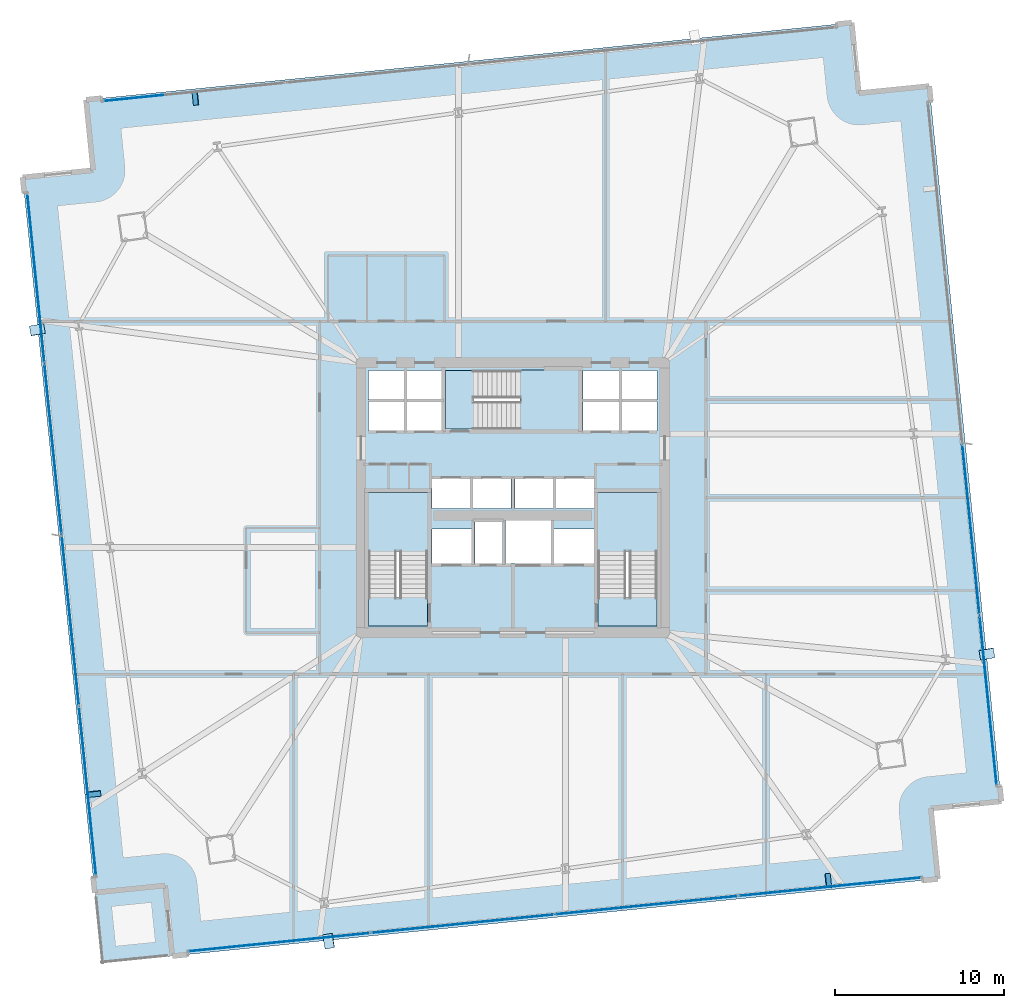
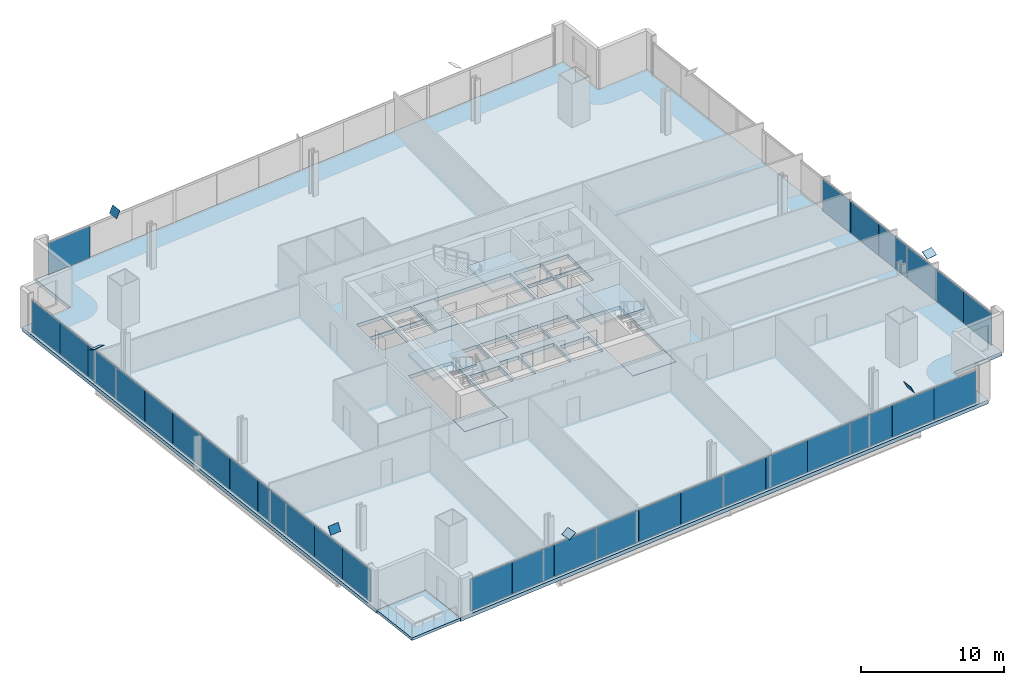
# One storey, part 24 of 33: 37 plates, 8 slabs, 7 elements without a shape of their own.
"""IFC4 building model written with IfcOpenShell, lengths in metres."""

from ifc_helpers import new_model, si_unit, direction, frame, origin, origin_2d, place, context, subcontext, project, spatial, polyline, rectangle, outline, extrude, source, transform, mapped, material, layer, layer_set, type_object, element, aggregate, save


model = new_model("IFC4")

# Units and contexts
model_context = context("Model", 3, precision=1e-05, world=origin(), true_north=direction((0.0, 1.0)))
body_context = subcontext(model_context, "Body", "Model", "MODEL_VIEW")
ifc_project = project(units=[si_unit("LENGTHUNIT", "METRE"), si_unit("AREAUNIT", "SQUARE_METRE"), si_unit("VOLUMEUNIT", "CUBIC_METRE"), si_unit("PLANEANGLEUNIT", "RADIAN"), si_unit("MASSUNIT", "GRAM", prefix="KILO")], contexts=[model_context])

# Site, building, storey
site_placement = place(None, origin())
site = spatial("IfcSite", under=ifc_project, at=site_placement, CompositionType="ELEMENT")
building_placement = place(site_placement, origin())
building = spatial("IfcBuilding", under=site, at=building_placement, Name="Haldenkirk Collegiate Tower", CompositionType="ELEMENT")
storey_placement = place(building_placement, frame((0.0, 0.0, 47.699951171875)))
storey = spatial("IfcBuildingStorey", under=building, at=storey_placement, Name="L10", CompositionType="ELEMENT", Elevation=47.699951171875)

# Slab
ifc_material_1 = material(Name="Concrete f'c 40 MPa", Category="concrete")
ifc_layer_1 = layer(ifc_material_1, 0.31005859375)
ifc_layer_set_1 = layer_set([ifc_layer_1], Name="Concrete f'c 40 MPa")
slab_type_1 = type_object("IfcSlabType", Name="SLB-FLR-310", PredefinedType="FLOOR", material=ifc_layer_set_1)
slab_1_placement = place(storey_placement, frame((0.0, 0.0, -0.31005859375)))
element("IfcSlab", 1, at=slab_1_placement, inside=storey, type_object=slab_type_1, Name="L10 composite structural floor slab", PredefinedType="FLOOR", context=body_context, shape_type="SweptSolid", body=[
    extrude(outline(polyline([(15.8193359375, -1.158447265625), (61.18994140625, 3.41015625), (60.769287109375, 7.5888671875), (64.947998046875, 8.009765625), (60.68017578125, 50.3955078125), (56.501220703125, 49.974609375), (56.080322265625, 54.153564453125), (10.709716796875, 49.5849609375), (11.130615234375, 45.406005859375), (6.951904296875, 44.985107421875), (11.2197265625, 2.599609375), (15.398681640625, 3.0205078125), (15.8193359375, -1.158447265625)]), holes=[polyline([(27.449951171875, 18.39990234375), (30.949951171875, 18.39990234375), (30.949951171875, 26.300048828125), (27.449951171875, 26.300048828125), (27.449951171875, 18.39990234375)]), polyline([(41.050048828125, 18.39990234375), (44.550048828125, 18.39990234375), (44.550048828125, 26.300048828125), (41.050048828125, 26.300048828125), (41.050048828125, 18.39990234375)]), polyline([(32.0, 30.050048828125), (39.89990234375, 30.050048828125), (39.89990234375, 33.550048828125), (32.0, 33.550048828125), (32.0, 30.050048828125)]), polyline([(33.75, 22.10009765625), (35.35009765625, 22.10009765625), (35.35009765625, 24.550048828125), (33.75, 24.550048828125), (33.75, 22.10009765625)]), polyline([(27.449951171875, 29.949951171875), (29.580078125, 29.949951171875), (29.580078125, 31.699951171875), (27.449951171875, 31.699951171875), (27.449951171875, 29.949951171875)]), polyline([(29.679931640625, 29.949951171875), (31.85009765625, 29.949951171875), (31.85009765625, 31.699951171875), (29.679931640625, 31.699951171875), (29.679931640625, 29.949951171875)]), polyline([(27.449951171875, 31.800048828125), (29.580078125, 31.800048828125), (29.580078125, 33.550048828125), (27.449951171875, 33.550048828125), (27.449951171875, 31.800048828125)]), polyline([(29.679931640625, 31.800048828125), (31.85009765625, 31.800048828125), (31.85009765625, 33.550048828125), (29.679931640625, 33.550048828125), (29.679931640625, 31.800048828125)]), polyline([(40.14990234375, 29.949951171875), (42.320068359375, 29.949951171875), (42.320068359375, 31.699951171875), (40.14990234375, 31.699951171875), (40.14990234375, 29.949951171875)]), polyline([(42.419921875, 29.949951171875), (44.550048828125, 29.949951171875), (44.550048828125, 31.699951171875), (42.419921875, 31.699951171875), (42.419921875, 29.949951171875)]), polyline([(40.14990234375, 31.800048828125), (42.320068359375, 31.800048828125), (42.320068359375, 33.550048828125), (40.14990234375, 33.550048828125), (40.14990234375, 31.800048828125)]), polyline([(42.419921875, 31.800048828125), (44.550048828125, 31.800048828125), (44.550048828125, 33.550048828125), (42.419921875, 33.550048828125), (42.419921875, 31.800048828125)]), polyline([(31.199951171875, 25.35009765625), (33.47998046875, 25.35009765625), (33.47998046875, 27.14990234375), (31.199951171875, 27.14990234375), (31.199951171875, 25.35009765625)]), polyline([(33.60009765625, 25.35009765625), (35.8798828125, 25.35009765625), (35.8798828125, 27.14990234375), (33.60009765625, 27.14990234375), (33.60009765625, 25.35009765625)]), polyline([(36.1201171875, 25.35009765625), (38.39990234375, 25.35009765625), (38.39990234375, 27.14990234375), (36.1201171875, 27.14990234375), (36.1201171875, 25.35009765625)]), polyline([(38.52001953125, 25.35009765625), (40.800048828125, 25.35009765625), (40.800048828125, 27.14990234375), (38.52001953125, 27.14990234375), (38.52001953125, 25.35009765625)]), polyline([(31.199951171875, 22.10009765625), (33.550048828125, 22.10009765625), (33.550048828125, 24.14990234375), (31.199951171875, 24.14990234375), (31.199951171875, 22.10009765625)]), polyline([(38.449951171875, 22.10009765625), (40.800048828125, 22.10009765625), (40.800048828125, 24.14990234375), (38.449951171875, 24.14990234375), (38.449951171875, 22.10009765625)]), polyline([(35.550048828125, 22.10009765625), (38.25, 22.10009765625), (38.25, 24.64990234375), (35.550048828125, 24.64990234375), (35.550048828125, 22.10009765625)])]), origin(), (0.0, 0.0, 1.0), 0.31005859375),
])

# Stair, slab
stair_type = type_object("IfcStairType", Name="STR-DOGLEG-1650", PredefinedType="HALF_TURN_STAIR", material=ifc_material_1)
stair_1_placement = place(storey_placement, origin())
stair_1 = element("IfcStair", 2, at=stair_1_placement, inside=storey, type_object=stair_type, Name="L10 Core Exit Stair ST-1", PredefinedType="HALF_TURN_STAIR")
ifc_layer_2 = layer(ifc_material_1, 0.199951171875)
ifc_layer_set_2 = layer_set([ifc_layer_2], Name="Concrete f'c 40 MPa")
slab_type_2 = type_object("IfcSlabType", Name="SLB-LANDING-200", PredefinedType="LANDING", material=ifc_layer_set_2)
slab_2_placement = place(storey_placement, frame((0.0, 0.0, 1.675048828125)))
slab_2 = element("IfcSlab", 3, at=slab_2_placement, type_object=slab_type_2, Name="ST-1 landing 1", PredefinedType="LANDING", context=body_context, shape_type="SweptSolid", body=[
    extrude(outline(polyline([(30.97509765625, 22.824951171875), (27.425048828125, 22.824951171875), (27.425048828125, 26.324951171875), (30.97509765625, 26.324951171875), (30.97509765625, 22.824951171875)])), origin(), (0.0, 0.0, 1.0), 0.199951171875),
])
aggregate(stair_1, [slab_2])

stair_2_placement = place(storey_placement, origin())
stair_2 = element("IfcStair", 4, at=stair_2_placement, inside=storey, type_object=stair_type, Name="L10 Core Exit Stair ST-2", PredefinedType="HALF_TURN_STAIR")
slab_3_placement = place(storey_placement, frame((0.0, 0.0, 1.675048828125)))
slab_3 = element("IfcSlab", 5, at=slab_3_placement, type_object=slab_type_2, Name="ST-2 landing 1", PredefinedType="LANDING", context=body_context, shape_type="SweptSolid", body=[
    extrude(outline(polyline([(44.574951171875, 22.824951171875), (41.02490234375, 22.824951171875), (41.02490234375, 26.324951171875), (44.574951171875, 26.324951171875), (44.574951171875, 22.824951171875)])), origin(), (0.0, 0.0, 1.0), 0.199951171875),
])
aggregate(stair_2, [slab_3])

stair_3_placement = place(storey_placement, origin())
stair_3 = element("IfcStair", 6, at=stair_3_placement, inside=storey, type_object=stair_type, Name="L10 Core Exit Stair ST-3", PredefinedType="HALF_TURN_STAIR")
slab_4_placement = place(storey_placement, frame((0.0, 0.0, 1.675048828125)))
slab_4 = element("IfcSlab", 7, at=slab_4_placement, type_object=slab_type_2, Name="ST-3 landing 1", PredefinedType="LANDING", context=body_context, shape_type="SweptSolid", body=[
    extrude(outline(polyline([(36.425048828125, 30.02490234375), (36.425048828125, 33.574951171875), (39.925048828125, 33.574951171875), (39.925048828125, 30.02490234375), (36.425048828125, 30.02490234375)])), origin(), (0.0, 0.0, 1.0), 0.199951171875),
])
aggregate(stair_3, [slab_4])

# Slabs
ifc_layer_3 = layer(ifc_material_1, 0.25)
ifc_layer_set_3 = layer_set([ifc_layer_3], Name="Concrete f'c 40 MPa")
slab_type_3 = type_object("IfcSlabType", Name="SLB-STAIRLAND-250", PredefinedType="LANDING", material=ifc_layer_set_3)
slab_5_placement = place(storey_placement, frame((0.0, 0.0, -0.25)))
element("IfcSlab", 8, at=slab_5_placement, inside=storey, type_object=slab_type_3, Name="L10 stair ST1 structural floor landing slab", PredefinedType="LANDING", context=body_context, shape_type="SweptSolid", body=[
    extrude(outline(polyline([(27.4599609375, 18.409912109375), (30.93994140625, 18.409912109375), (30.93994140625, 20.080078125), (27.4599609375, 20.080078125), (27.4599609375, 18.409912109375)])), origin(), (0.0, 0.0, 1.0), 0.25),
])
slab_6_placement = place(storey_placement, frame((0.0, 0.0, -0.25)))
element("IfcSlab", 9, at=slab_6_placement, inside=storey, type_object=slab_type_3, Name="L10 stair ST2 structural floor landing slab", PredefinedType="LANDING", context=body_context, shape_type="SweptSolid", body=[
    extrude(outline(polyline([(41.06005859375, 18.409912109375), (44.5400390625, 18.409912109375), (44.5400390625, 20.080078125), (41.06005859375, 20.080078125), (41.06005859375, 18.409912109375)])), origin(), (0.0, 0.0, 1.0), 0.25),
])
slab_7_placement = place(storey_placement, frame((0.0, 0.0, -0.25)))
element("IfcSlab", 10, at=slab_7_placement, inside=storey, type_object=slab_type_3, Name="L10 stair ST3 structural floor landing slab", PredefinedType="LANDING", context=body_context, shape_type="SweptSolid", body=[
    extrude(outline(polyline([(32.010009765625, 30.06005859375), (33.679931640625, 30.06005859375), (33.679931640625, 33.5400390625), (32.010009765625, 33.5400390625), (32.010009765625, 30.06005859375)])), origin(), (0.0, 0.0, 1.0), 0.25),
])
ifc_layer_4 = layer(ifc_material_1, 0.22998046875)
ifc_layer_set_4 = layer_set([ifc_layer_4], Name="Concrete f'c 40 MPa")
slab_type_4 = type_object("IfcSlabType", Name="SLB-TERR-SPIRAL-230", PredefinedType="FLOOR", material=ifc_layer_set_4)
slab_8_placement = place(storey_placement, frame((0.0, 0.0, -0.22998046875)))
element("IfcSlab", 11, at=slab_8_placement, inside=storey, type_object=slab_type_4, Name="L10 spiralling corner terrace slab", PredefinedType="FLOOR", context=body_context, shape_type="SweptSolid", body=[
    extrude(outline(polyline([(11.640625, -1.579345703125), (15.8193359375, -1.158447265625), (15.398681640625, 3.0205078125), (11.2197265625, 2.599609375), (11.640625, -1.579345703125)])), origin(), (0.0, 0.0, 1.0), 0.22998046875),
])

# Plates
ifc_material_2 = material(Name="Steel ASTM A572 Grade 50", Category="steel")
ifc_layer_5 = layer(ifc_material_2, 0.034912109375)
ifc_layer_set_5 = layer_set([ifc_layer_5], Name="Steel ASTM A572 Grade 50")
plate_type_1 = type_object("IfcPlateType", Name="PLT-CAP-EXT-760X600", PredefinedType="USERDEFINED", material=ifc_layer_set_5)
shared_shape_1 = source(origin(), body_context, "Body", "SweptSolid", [
    extrude(rectangle(XDim=0.860107421875, YDim=0.659912109375, at=origin_2d()), origin(), (0.0, 0.0, 1.0), 0.034912109375),
])
for number, where, z_axis, x_axis, name in (
    (12, (25.091552734375, -0.28076171875, 3.427490234375), (-0.513402195176, -0.091507034787, 0.853255324374), (0.175470985651, -0.984484602823, -9.0917e-08), "Perimeter Mega Brace Z1 L08-L10 SL end cap plate 2"),
    (13, (54.678955078125, 3.299560546875, 3.428955078125), (0.893068337149, 0.092916035077, 0.440222166192), (-0.103482824773, 0.9946312407, 9.7662e-08), "Perimeter Mega Brace Z1 L08-L10 SR end cap plate 2"),
    (14, (64.094970703125, 16.7470703125, 3.427490234375), (0.084062990598, -0.484508945809, 0.870737902611), (0.985280199567, 0.170947150723, -2.02548e-07), "Perimeter Mega Brace Z1 L08-L10 EL end cap plate 2"),
    (15, (17.199951171875, 49.693115234375, 3.428955078125), (-0.893069592494, -0.092990957568, 0.440203799136), (0.103565140047, -0.994622673061, -8.489e-08), "Perimeter Mega Brace Z1 L08-L10 NR end cap plate 2"),
    (16, (7.820556640625, 35.948974609375, 3.427490234375), (-0.087235966661, 0.481021816167, 0.872357666609), (-0.983950034598, -0.178444191315, -3.24894e-07), "Perimeter Mega Brace Z1 L08-L10 WL end cap plate 2"),
    (17, (11.147705078125, 8.454345703125, 3.4287109375), (0.09107804169, -0.880523403054, 0.465170212929), (0.994693002653, 0.102887465088, 2.7974e-07), "Perimeter Mega Brace Z1 L08-L10 WR end cap plate 2"),
):
    element("IfcPlate", number, at=place(storey_placement, frame(where, z_axis=z_axis, x_axis=x_axis)), inside=storey, type_object=plate_type_1, Name=name, ObjectType="END CAP PLATE", PredefinedType="USERDEFINED", context=body_context, shape_type="MappedRepresentation", body=[
        mapped(shared_shape_1, transform((0.0, 0.0, 0.0), x_axis=(1.0, 0.0, 0.0), y_axis=(0.0, 1.0, 0.0), z_axis=(0.0, 0.0, 1.0), scale=1.0)),
    ])

# Curtain wall, plates
ifc_material_3 = material(Name="Anodised architectural bronze aluminium", Category="aluminium")
curtain_wall_type_1 = type_object("IfcCurtainWallType", Name="CW-SYS2-CONCAVE", PredefinedType="USERDEFINED", material=ifc_material_3)
curtain_wall_1_placement = place(storey_placement, origin())
curtain_wall_1 = element("IfcCurtainWall", 18, at=curtain_wall_1_placement, inside=storey, type_object=curtain_wall_type_1, Name="L10 South concave recessed bronze-anodised curtain wall", ObjectType="UNITISED CURTAIN WALL", PredefinedType="USERDEFINED")
ifc_material_4 = material(Name="Bronze-anodised insulated aluminium spandrel panel", Category="aluminium")
ifc_layer_6 = layer(ifc_material_4, 0.0419921875)
ifc_layer_set_6 = layer_set([ifc_layer_6], Name="Bronze-anodised insulated aluminium spandrel panel")
plate_type_2 = type_object("IfcPlateType", Name="CW-SPD-02", PredefinedType="CURTAIN_PANEL", material=ifc_layer_set_6)
shared_shape_2 = source(origin(), body_context, "Body", "SweptSolid", [
    extrude(rectangle(XDim=3.612548828125, YDim=0.0419921875, at=origin_2d()), origin(), (0.0, 0.0, 1.0), 2.740966796875),
])
plate_1_placement = place(storey_placement, frame((47.547119140625, 2.21728515625, 0.0751953125), z_axis=(0.0, 0.0, 1.0), x_axis=(-0.994968597847, -0.100187271136, 0.0)))
plate_1 = element("IfcPlate", 19, at=plate_1_placement, type_object=plate_type_2, Name="CW-02 spandrel panel 2.1a", PredefinedType="CURTAIN_PANEL", context=body_context, shape_type="MappedRepresentation", body=[
    mapped(shared_shape_2, transform((0.0, 0.0, 0.0), x_axis=(1.0, 0.0, 0.0), y_axis=(0.0, 1.0, 0.0), z_axis=(0.0, 0.0, 1.0), scale=1.0)),
])
ifc_material_5 = material(Name="Low-E argon triple insulating glass", Category="glass")
ifc_layer_7 = layer(ifc_material_5, 0.0419921875)
ifc_layer_set_7 = layer_set([ifc_layer_7], Name="Low-E argon triple insulating glass")
plate_type_3 = type_object("IfcPlateType", Name="CW-PNL-02", PredefinedType="CURTAIN_PANEL", material=ifc_layer_set_7)
plate_2_placement = place(storey_placement, frame((40.3212890625, 1.489501953125, 0.0751953125), z_axis=(0.0, 0.0, 1.0), x_axis=(-0.994968597847, -0.100187271136, 0.0)))
plate_2 = element("IfcPlate", 20, at=plate_2_placement, type_object=plate_type_3, Name="CW-02 panel 2.1c", PredefinedType="CURTAIN_PANEL", context=body_context, shape_type="MappedRepresentation", body=[
    mapped(shared_shape_2, transform((0.0, 0.0, 0.0), x_axis=(1.0, 0.0, 0.0), y_axis=(0.0, 1.0, 0.0), z_axis=(0.0, 0.0, 1.0), scale=1.0)),
])
plate_3_placement = place(storey_placement, frame((36.652099609375, 1.1201171875, 0.0751953125), z_axis=(0.0, 0.0, 1.0), x_axis=(-0.994968597847, -0.100187271136, 0.0)))
plate_3 = element("IfcPlate", 21, at=plate_3_placement, type_object=plate_type_3, Name="CW-02 panel 3.1a", PredefinedType="CURTAIN_PANEL", context=body_context, shape_type="MappedRepresentation", body=[
    mapped(shared_shape_2, transform((0.0, 0.0, 0.0), x_axis=(1.0, 0.0, 0.0), y_axis=(0.0, 1.0, 0.0), z_axis=(0.0, 0.0, 1.0), scale=1.0)),
])
plate_4_placement = place(storey_placement, frame((29.42626953125, 0.392578125, 0.0751953125), z_axis=(0.0, 0.0, 1.0), x_axis=(-0.994968597847, -0.100187271136, 0.0)))
plate_4 = element("IfcPlate", 22, at=plate_4_placement, type_object=plate_type_2, Name="CW-02 spandrel panel 3.1c", PredefinedType="CURTAIN_PANEL", context=body_context, shape_type="MappedRepresentation", body=[
    mapped(shared_shape_2, transform((0.0, 0.0, 0.0), x_axis=(1.0, 0.0, 0.0), y_axis=(0.0, 1.0, 0.0), z_axis=(0.0, 0.0, 1.0), scale=1.0)),
])
shared_shape_3 = source(origin(), body_context, "Body", "SweptSolid", [
    extrude(rectangle(XDim=3.60009765625, YDim=0.0419921875, at=origin_2d()), origin(), (0.0, 0.0, 1.0), 2.740966796875),
])
plate_5_placement = place(storey_placement, frame((58.410888671875, 3.31103515625, 0.0751953125), z_axis=(0.0, 0.0, 1.0), x_axis=(-0.994968597847, -0.100187271136, 0.0)))
plate_5 = element("IfcPlate", 23, at=plate_5_placement, type_object=plate_type_3, Name="CW-02 panel 1.1a", PredefinedType="CURTAIN_PANEL", context=body_context, shape_type="MappedRepresentation", body=[
    mapped(shared_shape_3, transform((0.0, 0.0, 0.0), x_axis=(1.0, 0.0, 0.0), y_axis=(0.0, 1.0, 0.0), z_axis=(0.0, 0.0, 1.0), scale=1.0)),
])
plate_6_placement = place(storey_placement, frame((51.2099609375, 2.5859375, 0.0751953125), z_axis=(0.0, 0.0, 1.0), x_axis=(-0.994968597847, -0.100187271136, 0.0)))
plate_6 = element("IfcPlate", 24, at=plate_6_placement, type_object=plate_type_2, Name="CW-02 spandrel panel 1.1c", PredefinedType="CURTAIN_PANEL", context=body_context, shape_type="MappedRepresentation", body=[
    mapped(shared_shape_3, transform((0.0, 0.0, 0.0), x_axis=(1.0, 0.0, 0.0), y_axis=(0.0, 1.0, 0.0), z_axis=(0.0, 0.0, 1.0), scale=1.0)),
])
plate_7_placement = place(storey_placement, frame((43.93408203125, 1.853515625, 0.0751953125), z_axis=(0.0, 0.0, 1.0), x_axis=(-0.994968597847, -0.100187271136, 0.0)))
plate_7 = element("IfcPlate", 25, at=plate_7_placement, type_object=plate_type_3, Name="CW-02 panel 2.1b", PredefinedType="CURTAIN_PANEL", context=body_context, shape_type="MappedRepresentation", body=[
    mapped(shared_shape_3, transform((0.0, 0.0, 0.0), x_axis=(1.0, 0.0, 0.0), y_axis=(0.0, 1.0, 0.0), z_axis=(0.0, 0.0, 1.0), scale=1.0)),
])
plate_8_placement = place(storey_placement, frame((33.039306640625, 0.75634765625, 0.0751953125), z_axis=(0.0, 0.0, 1.0), x_axis=(-0.994968597847, -0.100187271136, 0.0)))
plate_8 = element("IfcPlate", 26, at=plate_8_placement, type_object=plate_type_3, Name="CW-02 panel 3.1b", PredefinedType="CURTAIN_PANEL", context=body_context, shape_type="MappedRepresentation", body=[
    mapped(shared_shape_3, transform((0.0, 0.0, 0.0), x_axis=(1.0, 0.0, 0.0), y_axis=(0.0, 1.0, 0.0), z_axis=(0.0, 0.0, 1.0), scale=1.0)),
])
plate_9_placement = place(storey_placement, frame((25.763427734375, 0.023681640625, 0.0751953125), z_axis=(0.0, 0.0, 1.0), x_axis=(-0.994968597847, -0.100187271136, 0.0)))
plate_9 = element("IfcPlate", 27, at=plate_9_placement, type_object=plate_type_2, Name="CW-02 spandrel panel 4.1a", PredefinedType="CURTAIN_PANEL", context=body_context, shape_type="MappedRepresentation", body=[
    mapped(shared_shape_3, transform((0.0, 0.0, 0.0), x_axis=(1.0, 0.0, 0.0), y_axis=(0.0, 1.0, 0.0), z_axis=(0.0, 0.0, 1.0), scale=1.0)),
])
plate_10_placement = place(storey_placement, frame((18.5625, -0.701416015625, 0.0751953125), z_axis=(0.0, 0.0, 1.0), x_axis=(-0.994968597847, -0.100187271136, 0.0)))
plate_10 = element("IfcPlate", 28, at=plate_10_placement, type_object=plate_type_3, Name="CW-02 panel 4.1c", PredefinedType="CURTAIN_PANEL", context=body_context, shape_type="MappedRepresentation", body=[
    mapped(shared_shape_3, transform((0.0, 0.0, 0.0), x_axis=(1.0, 0.0, 0.0), y_axis=(0.0, 1.0, 0.0), z_axis=(0.0, 0.0, 1.0), scale=1.0)),
])

curtain_wall_type_2 = type_object("IfcCurtainWallType", Name="CW-SYS1-CONVEX-LOW", PredefinedType="USERDEFINED", material=ifc_material_3)
curtain_wall_2_placement = place(storey_placement, origin())
curtain_wall_2 = element("IfcCurtainWall", 29, at=curtain_wall_2_placement, inside=storey, type_object=curtain_wall_type_2, Name="L10 Lower tower convex bronze-framed unitised curtain wall", ObjectType="UNITISED CURTAIN WALL", PredefinedType="USERDEFINED")
ifc_layer_8 = layer(ifc_material_5, 0.0439453125)
ifc_layer_set_8 = layer_set([ifc_layer_8], Name="Low-E argon triple insulating glass")
plate_type_4 = type_object("IfcPlateType", Name="CW-PNL-1A", PredefinedType="CURTAIN_PANEL", material=ifc_layer_set_8)
shared_shape_4 = source(origin(), body_context, "Body", "SweptSolid", [
    extrude(rectangle(XDim=3.36083984375, YDim=0.0439453125, at=origin_2d()), origin(), (0.0, 0.0, 1.0), 2.73095703125),
])
plate_11_placement = place(storey_placement, frame((62.807373046875, 27.472900390625, 0.080078125), z_axis=(0.0, 0.0, 1.0), x_axis=(0.10018633043, -0.99496869257, 0.0)))
plate_11 = element("IfcPlate", 30, at=plate_11_placement, type_object=plate_type_4, Name="CW-1A panel 3.1a", PredefinedType="CURTAIN_PANEL", context=body_context, shape_type="MappedRepresentation", body=[
    mapped(shared_shape_4, transform((0.0, 0.0, 0.0), x_axis=(1.0, 0.0, 0.0), y_axis=(0.0, 1.0, 0.0), z_axis=(0.0, 0.0, 1.0), scale=1.0)),
])
ifc_layer_9 = layer(ifc_material_4, 0.0439453125)
ifc_layer_set_9 = layer_set([ifc_layer_9], Name="Bronze-anodised insulated aluminium spandrel panel")
plate_type_5 = type_object("IfcPlateType", Name="CW-SPD-1A", PredefinedType="CURTAIN_PANEL", material=ifc_layer_set_9)
plate_12_placement = place(storey_placement, frame((63.484619140625, 20.74755859375, 0.080078125), z_axis=(0.0, 0.0, 1.0), x_axis=(0.10018633043, -0.99496869257, 0.0)))
plate_12 = element("IfcPlate", 31, at=plate_12_placement, type_object=plate_type_5, Name="CW-1A spandrel panel 3.1c", PredefinedType="CURTAIN_PANEL", context=body_context, shape_type="MappedRepresentation", body=[
    mapped(shared_shape_4, transform((0.0, 0.0, 0.0), x_axis=(1.0, 0.0, 0.0), y_axis=(0.0, 1.0, 0.0), z_axis=(0.0, 0.0, 1.0), scale=1.0)),
])

curtain_wall_3_placement = place(storey_placement, origin())
curtain_wall_3 = element("IfcCurtainWall", 32, at=curtain_wall_3_placement, inside=storey, type_object=curtain_wall_type_2, Name="L10 Lower tower convex bronze-framed unitised curtain wall", ObjectType="UNITISED CURTAIN WALL", PredefinedType="USERDEFINED")
plate_13_placement = place(storey_placement, frame((10.114501953125, 15.37353515625, 0.080078125), z_axis=(0.0, 0.0, 1.0), x_axis=(-0.100186574745, 0.994968667969, 0.0)))
plate_13 = element("IfcPlate", 33, at=plate_13_placement, type_object=plate_type_5, Name="CW-1A spandrel panel 2.1a", PredefinedType="CURTAIN_PANEL", context=body_context, shape_type="MappedRepresentation", body=[
    mapped(shared_shape_4, transform((0.0, 0.0, 0.0), x_axis=(1.0, 0.0, 0.0), y_axis=(0.0, 1.0, 0.0), z_axis=(0.0, 0.0, 1.0), scale=1.0)),
])
plate_14_placement = place(storey_placement, frame((9.437255859375, 22.0986328125, 0.080078125), z_axis=(0.0, 0.0, 1.0), x_axis=(-0.100186574745, 0.994968667969, 0.0)))
plate_14 = element("IfcPlate", 34, at=plate_14_placement, type_object=plate_type_4, Name="CW-1A panel 2.1c", PredefinedType="CURTAIN_PANEL", context=body_context, shape_type="MappedRepresentation", body=[
    mapped(shared_shape_4, transform((0.0, 0.0, 0.0), x_axis=(1.0, 0.0, 0.0), y_axis=(0.0, 1.0, 0.0), z_axis=(0.0, 0.0, 1.0), scale=1.0)),
])
plate_15_placement = place(storey_placement, frame((9.092529296875, 25.522216796875, 0.080078125), z_axis=(0.0, 0.0, 1.0), x_axis=(-0.100186574745, 0.994968667969, 0.0)))
plate_15 = element("IfcPlate", 35, at=plate_15_placement, type_object=plate_type_4, Name="CW-1A panel 3.1a", PredefinedType="CURTAIN_PANEL", context=body_context, shape_type="MappedRepresentation", body=[
    mapped(shared_shape_4, transform((0.0, 0.0, 0.0), x_axis=(1.0, 0.0, 0.0), y_axis=(0.0, 1.0, 0.0), z_axis=(0.0, 0.0, 1.0), scale=1.0)),
])
plate_16_placement = place(storey_placement, frame((8.415283203125, 32.247314453125, 0.080078125), z_axis=(0.0, 0.0, 1.0), x_axis=(-0.100186574745, 0.994968667969, 0.0)))
plate_16 = element("IfcPlate", 36, at=plate_16_placement, type_object=plate_type_5, Name="CW-1A spandrel panel 3.1c", PredefinedType="CURTAIN_PANEL", context=body_context, shape_type="MappedRepresentation", body=[
    mapped(shared_shape_4, transform((0.0, 0.0, 0.0), x_axis=(1.0, 0.0, 0.0), y_axis=(0.0, 1.0, 0.0), z_axis=(0.0, 0.0, 1.0), scale=1.0)),
])

# Plate
shared_shape_5 = source(origin(), body_context, "Body", "SweptSolid", [
    extrude(rectangle(XDim=3.348388671875, YDim=0.0439453125, at=origin_2d()), origin(), (0.0, 0.0, 1.0), 2.73095703125),
])
plate_17_placement = place(storey_placement, frame((63.14599609375, 24.110107421875, 0.080078125), z_axis=(0.0, 0.0, 1.0), x_axis=(0.10018633043, -0.99496869257, 0.0)))
plate_17 = element("IfcPlate", 37, at=plate_17_placement, type_object=plate_type_4, Name="CW-1A panel 3.1b", PredefinedType="CURTAIN_PANEL", context=body_context, shape_type="MappedRepresentation", body=[
    mapped(shared_shape_5, transform((0.0, 0.0, 0.0), x_axis=(1.0, 0.0, 0.0), y_axis=(0.0, 1.0, 0.0), z_axis=(0.0, 0.0, 1.0), scale=1.0)),
])

plate_18_placement = place(storey_placement, frame((9.77587890625, 18.736083984375, 0.080078125), z_axis=(0.0, 0.0, 1.0), x_axis=(-0.100186574745, 0.994968667969, 0.0)))
plate_18 = element("IfcPlate", 38, at=plate_18_placement, type_object=plate_type_4, Name="CW-1A panel 2.1b", PredefinedType="CURTAIN_PANEL", context=body_context, shape_type="MappedRepresentation", body=[
    mapped(shared_shape_5, transform((0.0, 0.0, 0.0), x_axis=(1.0, 0.0, 0.0), y_axis=(0.0, 1.0, 0.0), z_axis=(0.0, 0.0, 1.0), scale=1.0)),
])

plate_19_placement = place(storey_placement, frame((8.75390625, 28.884765625, 0.080078125), z_axis=(0.0, 0.0, 1.0), x_axis=(-0.100186574745, 0.994968667969, 0.0)))
plate_19 = element("IfcPlate", 39, at=plate_19_placement, type_object=plate_type_4, Name="CW-1A panel 3.1b", PredefinedType="CURTAIN_PANEL", context=body_context, shape_type="MappedRepresentation", body=[
    mapped(shared_shape_5, transform((0.0, 0.0, 0.0), x_axis=(1.0, 0.0, 0.0), y_axis=(0.0, 1.0, 0.0), z_axis=(0.0, 0.0, 1.0), scale=1.0)),
])

shared_shape_6 = source(origin(), body_context, "Body", "SweptSolid", [
    extrude(rectangle(XDim=3.58740234375, YDim=0.0419921875, at=origin_2d()), origin(), (0.0, 0.0, 1.0), 2.740966796875),
])
plate_20_placement = place(storey_placement, frame((54.810302734375, 2.948486328125, 0.0751953125), z_axis=(0.0, 0.0, 1.0), x_axis=(-0.994968597847, -0.100187271136, 0.0)))
plate_20 = element("IfcPlate", 40, at=plate_20_placement, type_object=plate_type_2, Name="CW-02 spandrel panel 1.1b", PredefinedType="CURTAIN_PANEL", context=body_context, shape_type="MappedRepresentation", body=[
    mapped(shared_shape_6, transform((0.0, 0.0, 0.0), x_axis=(1.0, 0.0, 0.0), y_axis=(0.0, 1.0, 0.0), z_axis=(0.0, 0.0, 1.0), scale=1.0)),
])

plate_21_placement = place(storey_placement, frame((22.1630859375, -0.3388671875, 0.0751953125), z_axis=(0.0, 0.0, 1.0), x_axis=(-0.994968597847, -0.100187271136, 0.0)))
plate_21 = element("IfcPlate", 41, at=plate_21_placement, type_object=plate_type_3, Name="CW-02 panel 4.1b", PredefinedType="CURTAIN_PANEL", context=body_context, shape_type="MappedRepresentation", body=[
    mapped(shared_shape_6, transform((0.0, 0.0, 0.0), x_axis=(1.0, 0.0, 0.0), y_axis=(0.0, 1.0, 0.0), z_axis=(0.0, 0.0, 1.0), scale=1.0)),
])

aggregate(curtain_wall_1, [plate_5, plate_20, plate_6, plate_1, plate_7, plate_2, plate_3, plate_8, plate_4, plate_9, plate_21, plate_10])

shared_shape_7 = source(origin(), body_context, "Body", "SweptSolid", [
    extrude(rectangle(XDim=3.347412109375, YDim=0.0439453125, at=origin_2d()), origin(), (0.0, 0.0, 1.0), 2.73095703125),
])
plate_22_placement = place(storey_placement, frame((63.82861328125, 17.330810546875, 0.080078125), z_axis=(0.0, 0.0, 1.0), x_axis=(0.10018633043, -0.99496869257, 0.0)))
plate_22 = element("IfcPlate", 42, at=plate_22_placement, type_object=plate_type_5, Name="CW-1A spandrel panel 4.1a", PredefinedType="CURTAIN_PANEL", context=body_context, shape_type="MappedRepresentation", body=[
    mapped(shared_shape_7, transform((0.0, 0.0, 0.0), x_axis=(1.0, 0.0, 0.0), y_axis=(0.0, 1.0, 0.0), z_axis=(0.0, 0.0, 1.0), scale=1.0)),
])

plate_23_placement = place(storey_placement, frame((64.503173828125, 10.632080078125, 0.080078125), z_axis=(0.0, 0.0, 1.0), x_axis=(0.10018633043, -0.99496869257, 0.0)))
plate_23 = element("IfcPlate", 43, at=plate_23_placement, type_object=plate_type_4, Name="CW-1A panel 4.1c", PredefinedType="CURTAIN_PANEL", context=body_context, shape_type="MappedRepresentation", body=[
    mapped(shared_shape_7, transform((0.0, 0.0, 0.0), x_axis=(1.0, 0.0, 0.0), y_axis=(0.0, 1.0, 0.0), z_axis=(0.0, 0.0, 1.0), scale=1.0)),
])

plate_24_placement = place(storey_placement, frame((11.133056640625, 5.258056640625, 0.080078125), z_axis=(0.0, 0.0, 1.0), x_axis=(-0.100186574745, 0.994968667969, 0.0)))
plate_24 = element("IfcPlate", 44, at=plate_24_placement, type_object=plate_type_4, Name="CW-1A panel 1.1a", PredefinedType="CURTAIN_PANEL", context=body_context, shape_type="MappedRepresentation", body=[
    mapped(shared_shape_7, transform((0.0, 0.0, 0.0), x_axis=(1.0, 0.0, 0.0), y_axis=(0.0, 1.0, 0.0), z_axis=(0.0, 0.0, 1.0), scale=1.0)),
])

plate_25_placement = place(storey_placement, frame((10.45849609375, 11.95654296875, 0.080078125), z_axis=(0.0, 0.0, 1.0), x_axis=(-0.100186574745, 0.994968667969, 0.0)))
plate_25 = element("IfcPlate", 45, at=plate_25_placement, type_object=plate_type_5, Name="CW-1A spandrel panel 1.1c", PredefinedType="CURTAIN_PANEL", context=body_context, shape_type="MappedRepresentation", body=[
    mapped(shared_shape_7, transform((0.0, 0.0, 0.0), x_axis=(1.0, 0.0, 0.0), y_axis=(0.0, 1.0, 0.0), z_axis=(0.0, 0.0, 1.0), scale=1.0)),
])

plate_26_placement = place(storey_placement, frame((8.0712890625, 35.664306640625, 0.080078125), z_axis=(0.0, 0.0, 1.0), x_axis=(-0.100186574745, 0.994968667969, 0.0)))
plate_26 = element("IfcPlate", 46, at=plate_26_placement, type_object=plate_type_5, Name="CW-1A spandrel panel 4.1a", PredefinedType="CURTAIN_PANEL", context=body_context, shape_type="MappedRepresentation", body=[
    mapped(shared_shape_7, transform((0.0, 0.0, 0.0), x_axis=(1.0, 0.0, 0.0), y_axis=(0.0, 1.0, 0.0), z_axis=(0.0, 0.0, 1.0), scale=1.0)),
])

plate_27_placement = place(storey_placement, frame((7.396728515625, 42.36279296875, 0.080078125), z_axis=(0.0, 0.0, 1.0), x_axis=(-0.100186574745, 0.994968667969, 0.0)))
plate_27 = element("IfcPlate", 47, at=plate_27_placement, type_object=plate_type_4, Name="CW-1A panel 4.1c", PredefinedType="CURTAIN_PANEL", context=body_context, shape_type="MappedRepresentation", body=[
    mapped(shared_shape_7, transform((0.0, 0.0, 0.0), x_axis=(1.0, 0.0, 0.0), y_axis=(0.0, 1.0, 0.0), z_axis=(0.0, 0.0, 1.0), scale=1.0)),
])

shared_shape_8 = source(origin(), body_context, "Body", "SweptSolid", [
    extrude(rectangle(XDim=3.3349609375, YDim=0.0439453125, at=origin_2d()), origin(), (0.0, 0.0, 1.0), 2.73095703125),
])
plate_28_placement = place(storey_placement, frame((64.165771484375, 13.9814453125, 0.080078125), z_axis=(0.0, 0.0, 1.0), x_axis=(0.10018633043, -0.99496869257, 0.0)))
plate_28 = element("IfcPlate", 48, at=plate_28_placement, type_object=plate_type_4, Name="CW-1A panel 4.1b", PredefinedType="CURTAIN_PANEL", context=body_context, shape_type="MappedRepresentation", body=[
    mapped(shared_shape_8, transform((0.0, 0.0, 0.0), x_axis=(1.0, 0.0, 0.0), y_axis=(0.0, 1.0, 0.0), z_axis=(0.0, 0.0, 1.0), scale=1.0)),
])

aggregate(curtain_wall_2, [plate_11, plate_17, plate_12, plate_22, plate_28, plate_23])

plate_29_placement = place(storey_placement, frame((10.795654296875, 8.607421875, 0.080078125), z_axis=(0.0, 0.0, 1.0), x_axis=(-0.100186574745, 0.994968667969, 0.0)))
plate_29 = element("IfcPlate", 49, at=plate_29_placement, type_object=plate_type_5, Name="CW-1A spandrel panel 1.1b", PredefinedType="CURTAIN_PANEL", context=body_context, shape_type="MappedRepresentation", body=[
    mapped(shared_shape_8, transform((0.0, 0.0, 0.0), x_axis=(1.0, 0.0, 0.0), y_axis=(0.0, 1.0, 0.0), z_axis=(0.0, 0.0, 1.0), scale=1.0)),
])

plate_30_placement = place(storey_placement, frame((7.734130859375, 39.013427734375, 0.080078125), z_axis=(0.0, 0.0, 1.0), x_axis=(-0.100186574745, 0.994968667969, 0.0)))
plate_30 = element("IfcPlate", 50, at=plate_30_placement, type_object=plate_type_4, Name="CW-1A panel 4.1b", PredefinedType="CURTAIN_PANEL", context=body_context, shape_type="MappedRepresentation", body=[
    mapped(shared_shape_8, transform((0.0, 0.0, 0.0), x_axis=(1.0, 0.0, 0.0), y_axis=(0.0, 1.0, 0.0), z_axis=(0.0, 0.0, 1.0), scale=1.0)),
])

aggregate(curtain_wall_3, [plate_24, plate_29, plate_25, plate_13, plate_18, plate_14, plate_15, plate_19, plate_16, plate_26, plate_30, plate_27])

# Curtain wall, plate
curtain_wall_4_placement = place(storey_placement, origin())
curtain_wall_4 = element("IfcCurtainWall", 51, at=curtain_wall_4_placement, inside=storey, type_object=curtain_wall_type_2, Name="L10 Lower tower convex bronze-framed unitised curtain wall", ObjectType="UNITISED CURTAIN WALL", PredefinedType="USERDEFINED")
shared_shape_9 = source(origin(), body_context, "Body", "SweptSolid", [
    extrude(rectangle(XDim=3.597412109375, YDim=0.0439453125, at=origin_2d()), origin(), (0.0, 0.0, 1.0), 2.73095703125),
])
plate_31_placement = place(storey_placement, frame((13.49267578125, 49.68408203125, 0.080078125), z_axis=(0.0, 0.0, 1.0), x_axis=(0.994968597847, 0.100187271136, 0.0)))
plate_31 = element("IfcPlate", 52, at=plate_31_placement, type_object=plate_type_4, Name="CW-1A panel 1.1a", PredefinedType="CURTAIN_PANEL", context=body_context, shape_type="MappedRepresentation", body=[
    mapped(shared_shape_9, transform((0.0, 0.0, 0.0), x_axis=(1.0, 0.0, 0.0), y_axis=(0.0, 1.0, 0.0), z_axis=(0.0, 0.0, 1.0), scale=1.0)),
])
aggregate(curtain_wall_4, [plate_31])

save(model, "model.ifc")
